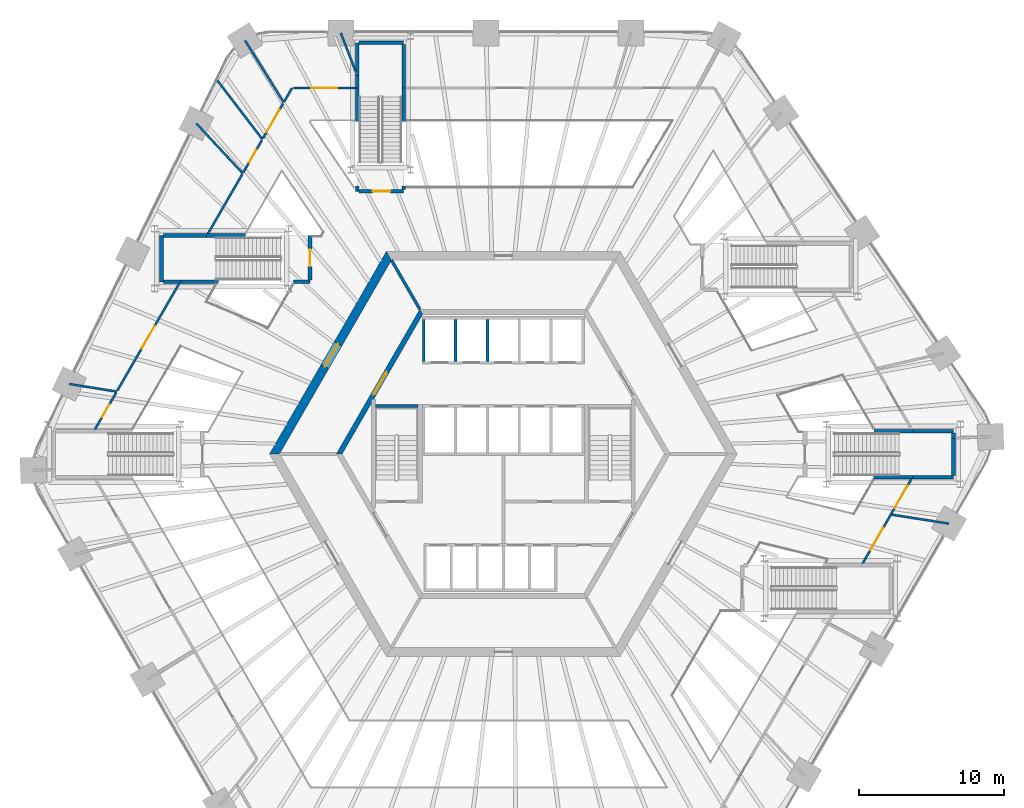
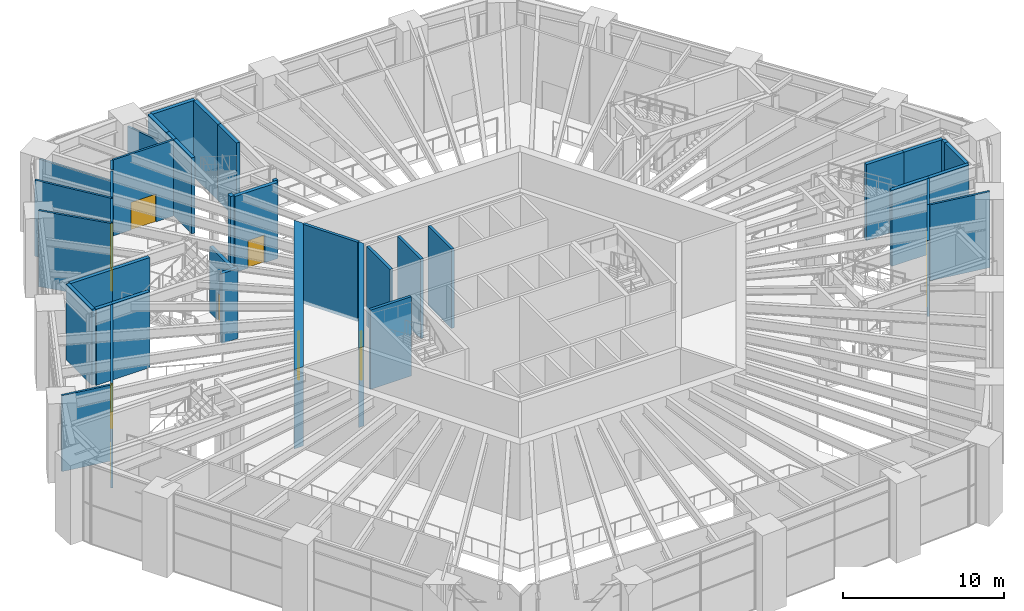
# One storey, part 23 of 32: 44 walls, 11 doors, 11 openings.
"""IFC4 building model written with IfcOpenShell, lengths in metres."""

from ifc_helpers import new_model, si_unit, direction, frame, frame_2d, origin, place, context, subcontext, project, spatial, polyline, rectangle, outline, extrude, material, layer, layer_set, type_object, element, fill, save


model = new_model("IFC4")

# Units and contexts
model_context = context("Model", 3, precision=1e-05, world=origin(), true_north=direction((0.0, 1.0)))
body_context = subcontext(model_context, "Body", "Model", "MODEL_VIEW")
ifc_project = project(units=[si_unit("LENGTHUNIT", "METRE"), si_unit("AREAUNIT", "SQUARE_METRE"), si_unit("VOLUMEUNIT", "CUBIC_METRE"), si_unit("PLANEANGLEUNIT", "RADIAN"), si_unit("MASSUNIT", "GRAM", prefix="KILO")], contexts=[model_context])

# Site, building, storey
site_placement = place(None, origin())
site = spatial("IfcSite", under=ifc_project, at=site_placement, CompositionType="ELEMENT")
building_placement = place(site_placement, origin())
building = spatial("IfcBuilding", under=site, at=building_placement, Name="Tarnside Tower", CompositionType="ELEMENT")
storey_placement = place(building_placement, frame((0.0, 0.0, 9.0)))
storey = spatial("IfcBuildingStorey", under=building, at=storey_placement, Name="L01", CompositionType="ELEMENT", Elevation=9.0)

# Wall, opening, door
ifc_material_1 = material(Name="Concrete C50/60", Category="concrete")
ifc_layer_1 = layer(ifc_material_1, 0.35009765625)
ifc_layer_set_1 = layer_set([ifc_layer_1], Name="Core block wall 350 C50/60")
wall_type_1 = type_object("IfcWallType", Name="Core block wall 350 C50/60", PredefinedType="SHEAR", material=ifc_layer_set_1)
wall_1_placement = place(storey_placement, frame((-5.672607421875, 9.824951171875, -0.25), z_axis=(0.0, 0.0, 1.0), x_axis=(-0.499995046907, -0.866028263435, 0.0)))
wall_1 = element("IfcWall", 1, at=wall_1_placement, inside=storey, type_object=wall_type_1, Name="L01 core block wall face 2", PredefinedType="SHEAR", context=body_context, shape_type="SweptSolid", body=[
    extrude(outline(polyline([(-0.10107421875, -0.175048828125), (11.44580078125, -0.175048828125), (11.24365234375, 0.175048828125), (0.10107421875, 0.175048828125), (-0.10107421875, -0.175048828125)])), origin(), (0.0, 0.0, 1.0), 6.0),
])
opening_1_placement = place(wall_1_placement, frame((4.80126953125, 0.0, 0.25)))
opening_1 = element("IfcOpeningElement", 2, at=opening_1_placement, cuts=wall_1, Name="Opening CD-LOB", PredefinedType="OPENING", context=body_context, shape_type="SweptSolid", body=[
    extrude(rectangle(XDim=1.800048828125, YDim=2.39990234375, at=frame_2d((0.89990234375, 1.199951171875))), frame((0.0, 0.18505859375, 0.0), z_axis=(0.0, -1.0, 0.0), x_axis=(1.0, 0.0, 0.0)), (0.0, 0.0, 1.0), 0.3701171875),
])
ifc_material_2 = material(Name="Steel fire door", Category="steel")
door_type_1 = type_object("IfcDoorType", Name="Lobby double door FD30S 1800x2400", OperationType="NOTDEFINED", PredefinedType="DOOR", material=ifc_material_2)
door_1_placement = place(opening_1_placement, origin())
door_1 = element("IfcDoor", 3, at=door_1_placement, inside=storey, type_object=door_type_1, Name="L01 lobby block door P1", OperationType="DOUBLE_DOOR_SINGLE_SWING", OverallHeight=2.39990234375, OverallWidth=1.800048828125, PredefinedType="DOOR", context=body_context, shape_type="SweptSolid", body=[
    extrude(rectangle(XDim=1.800048828125, YDim=2.39990234375, at=frame_2d((0.89990234375, 1.199951171875))), frame((0.0, 0.02490234375, 0.0), z_axis=(0.0, -1.0, 0.0), x_axis=(1.0, 0.0, 0.0)), (0.0, 0.0, 1.0), 0.050048828125),
])
fill(opening_1, door_1)

ifc_material_3 = material(Name="Concrete C80/95", Category="concrete")
ifc_layer_2 = layer(ifc_material_3, 0.60009765625)
ifc_layer_set_2 = layer_set([ifc_layer_2], Name="Core wall Z1 600 C80/95")
wall_type_2 = type_object("IfcWallType", Name="Core wall Z1 600 C80/95", PredefinedType="SHEAR", material=ifc_layer_set_2)
wall_2_placement = place(storey_placement, frame((-7.90966796875, 13.699951171875, -0.25), z_axis=(0.0, 0.0, 1.0), x_axis=(-0.499999880136, -0.866025472988, 0.0)))
wall_2 = element("IfcWall", 4, at=wall_2_placement, inside=storey, type_object=wall_type_2, Name="L01 core wall face 2", PredefinedType="SHEAR", context=body_context, shape_type="SweptSolid", body=[
    extrude(outline(polyline([(-0.17333984375, -0.300048828125), (15.99267578125, -0.300048828125), (15.64599609375, 0.300048828125), (0.17333984375, 0.300048828125), (-0.17333984375, -0.300048828125)])), origin(), (0.0, 0.0, 1.0), 6.0),
])
opening_2_placement = place(wall_2_placement, frame((7.03857421875, 0.0, 0.25)))
opening_2 = element("IfcOpeningElement", 5, at=opening_2_placement, cuts=wall_2, Name="Opening CD-LOB", PredefinedType="OPENING", context=body_context, shape_type="SweptSolid", body=[
    extrude(rectangle(XDim=1.800048828125, YDim=2.39990234375, at=frame_2d((0.89990234375, 1.199951171875))), frame((0.0, 0.31005859375, 0.0), z_axis=(0.0, -1.0, 0.0), x_axis=(1.0, 0.0, 0.0)), (0.0, 0.0, 1.0), 0.6201171875),
])
door_2_placement = place(opening_2_placement, origin())
door_2 = element("IfcDoor", 6, at=door_2_placement, inside=storey, type_object=door_type_1, Name="L01 core door P1", OperationType="DOUBLE_DOOR_SINGLE_SWING", OverallHeight=2.39990234375, OverallWidth=1.800048828125, PredefinedType="DOOR", context=body_context, shape_type="SweptSolid", body=[
    extrude(rectangle(XDim=1.800048828125, YDim=2.39990234375, at=frame_2d((0.89990234375, 1.199951171875))), frame((0.0, 0.02490234375, 0.0), z_axis=(0.0, -1.0, 0.0), x_axis=(1.0, 0.0, 0.0)), (0.0, 0.0, 1.0), 0.050048828125),
])
fill(opening_2, door_2)

# Walls
ifc_material_4 = material(Name="Concrete C40/50", Category="concrete")
ifc_layer_3 = layer(ifc_material_4, 0.199951171875)
ifc_layer_set_3 = layer_set([ifc_layer_3], Name="Lift shaft wall 200 C40/50")
wall_type_3 = type_object("IfcWallType", Name="Lift shaft wall 200 C40/50", PredefinedType="SHEAR", material=ifc_layer_set_3)
for number, where, z_axis, x_axis, name in (
    (7, (-5.5, 6.39990234375, -0.25), (0.0, 0.0, 1.0), (0.0, 1.0, 0.0), "L01 lift shaft partition R11"),
    (8, (-3.300048828125, 6.39990234375, -0.25), (0.0, 0.0, 1.0), (0.0, 1.0, 0.0), "L01 lift shaft partition R12"),
    (9, (-1.10009765625, 6.39990234375, -0.25), (0.0, 0.0, 1.0), (0.0, 1.0, 0.0), "L01 lift shaft partition R13"),
):
    element("IfcWall", number, at=place(storey_placement, frame(where, z_axis=z_axis, x_axis=x_axis)), inside=storey, type_object=wall_type_3, Name=name, PredefinedType="SHEAR", context=body_context, shape_type="SweptSolid", body=[
        extrude(rectangle(XDim=2.900146484375, YDim=0.199951171875, at=frame_2d((1.4501953125, 0.0))), origin(), (0.0, 0.0, 1.0), 6.0),
    ])
wall_3_placement = place(storey_placement, frame((-5.7734375, 10.0, -0.25), z_axis=(0.0, 0.0, 1.0), x_axis=(-0.500038251005, 0.86600331843, 0.0)))
element("IfcWall", 10, at=wall_3_placement, inside=storey, type_object=wall_type_3, Name="L01 core partition AR120", PredefinedType="SHEAR", context=body_context, shape_type="SweptSolid", body=[
    extrude(rectangle(XDim=3.926025390625, YDim=0.199951171875, at=frame_2d((1.962890625, 0.0))), origin(), (0.0, 0.0, 1.0), 6.0),
])
wall_4_placement = place(storey_placement, frame((-8.85009765625, 3.300048828125, -0.25), z_axis=(0.0, 0.0, 1.0), x_axis=(1.0, 0.0, 0.0)))
element("IfcWall", 11, at=wall_4_placement, inside=storey, type_object=wall_type_3, Name="L01 stair 2 enclosure cap wall n", PredefinedType="SHEAR", context=body_context, shape_type="SweptSolid", body=[
    extrude(rectangle(XDim=2.9501953125, YDim=0.199951171875, at=frame_2d((1.47509765625, 0.0))), origin(), (0.0, 0.0, 1.0), 6.0),
])
ifc_material_5 = material(Name="Gypsum board")
ifc_layer_4 = layer(ifc_material_5, 0.14990234375)
ifc_layer_set_4 = layer_set([ifc_layer_4], Name="Partition 150 gypsum board on metal stud")
wall_type_4 = type_object("IfcWallType", Name="Partition 150 gypsum board on metal stud", PredefinedType="PARTITIONING", material=ifc_layer_set_4)
wall_5_placement = place(storey_placement, frame((-30.01806640625, 4.8359375, 0.0), z_axis=(0.0, 0.0, 1.0), x_axis=(0.987270453079, -0.159050471478, 0.0)))
element("IfcWall", 12, at=wall_5_placement, inside=storey, type_object=wall_type_4, Name="Partition 004", PredefinedType="PARTITIONING", context=body_context, shape_type="SweptSolid", body=[
    extrude(rectangle(XDim=3.33251953125, YDim=0.14990234375, at=frame_2d((1.666259765625, 0.0))), origin(), (0.0, 0.0, 1.0), 5.75),
])

# Wall, opening, door
wall_6_placement = place(storey_placement, frame((-28.23291015625, 1.699951171875, 0.0), z_axis=(0.0, 0.0, 1.0), x_axis=(0.500083180475, 0.865977374189, 0.0)))
wall_6 = element("IfcWall", 13, at=wall_6_placement, inside=storey, type_object=wall_type_4, Name="Partition 009", PredefinedType="PARTITIONING", context=body_context, shape_type="SweptSolid", body=[
    extrude(rectangle(XDim=2.92919921875, YDim=0.14990234375, at=frame_2d((1.464599609375, 0.0))), origin(), (0.0, 0.0, 1.0), 5.75),
])
opening_3_placement = place(wall_6_placement, frame((0.964599609375, 0.0, 0.0)))
opening_3 = element("IfcOpeningElement", 14, at=opening_3_placement, cuts=wall_6, Name="Opening D1000", PredefinedType="OPENING", context=body_context, shape_type="SweptSolid", body=[
    extrude(rectangle(XDim=1.0, YDim=2.10009765625, at=frame_2d((0.5, 1.050048828125))), frame((0.0, 0.0849609375, 0.0), z_axis=(0.0, -1.0, 0.0), x_axis=(1.0, 0.0, 0.0)), (0.0, 0.0, 1.0), 0.169921875),
])
ifc_material_6 = material(Name="Timber door leaf", Category="wood")
door_type_2 = type_object("IfcDoorType", Name="Door 1000 x 2100 single leaf", OperationType="NOTDEFINED", PredefinedType="DOOR", material=ifc_material_6)
door_3_placement = place(opening_3_placement, origin())
door_3 = element("IfcDoor", 15, at=door_3_placement, inside=storey, type_object=door_type_2, Name="Door L01-02", OperationType="SINGLE_SWING_LEFT", OverallHeight=2.10009765625, OverallWidth=1.0, PredefinedType="DOOR", context=body_context, shape_type="SweptSolid", body=[
    extrude(rectangle(XDim=1.0, YDim=2.10009765625, at=frame_2d((0.5, 1.050048828125))), frame((0.0, 0.02490234375, 0.0), z_axis=(0.0, -1.0, 0.0), x_axis=(1.0, 0.0, 0.0)), (0.0, 0.0, 1.0), 0.050048828125),
])
fill(opening_3, door_3)

wall_7_placement = place(storey_placement, frame((-26.68798828125, 4.37548828125, 0.0), z_axis=(0.0, 0.0, 1.0), x_axis=(0.500057174496, 0.865992391557, 0.0)))
wall_7 = element("IfcWall", 16, at=wall_7_placement, inside=storey, type_object=wall_type_4, Name="Partition 015", PredefinedType="PARTITIONING", context=body_context, shape_type="SweptSolid", body=[
    extrude(rectangle(XDim=8.54443359375, YDim=0.14990234375, at=frame_2d((4.272216796875, 0.0))), origin(), (0.0, 0.0, 1.0), 5.75),
])
opening_4_placement = place(wall_7_placement, frame((3.372314453125, 0.0, 0.0)))
opening_4 = element("IfcOpeningElement", 17, at=opening_4_placement, cuts=wall_7, Name="Opening D1800F30", PredefinedType="OPENING", context=body_context, shape_type="SweptSolid", body=[
    extrude(rectangle(XDim=1.800048828125, YDim=2.10009765625, at=frame_2d((0.89990234375, 1.050048828125))), frame((0.0, 0.0849609375, 0.0), z_axis=(0.0, -1.0, 0.0), x_axis=(1.0, 0.0, 0.0)), (0.0, 0.0, 1.0), 0.169921875),
])
door_type_3 = type_object("IfcDoorType", Name="Door pair 1800 x 2100 FD30S fire door", OperationType="NOTDEFINED", PredefinedType="DOOR", material=ifc_material_6)
door_4_placement = place(opening_4_placement, origin())
door_4 = element("IfcDoor", 18, at=door_4_placement, inside=storey, type_object=door_type_3, Name="Door L01-04", OperationType="DOUBLE_DOOR_SINGLE_SWING", OverallHeight=2.10009765625, OverallWidth=1.800048828125, PredefinedType="DOOR", context=body_context, shape_type="SweptSolid", body=[
    extrude(rectangle(XDim=1.800048828125, YDim=2.10009765625, at=frame_2d((0.89990234375, 1.050048828125))), frame((0.0, 0.02490234375, 0.0), z_axis=(0.0, -1.0, 0.0), x_axis=(1.0, 0.0, 0.0)), (0.0, 0.0, 1.0), 0.050048828125),
])
fill(opening_4, door_4)

# Walls
wall_8_placement = place(storey_placement, frame((-21.22998046875, 22.85400390625, 0.0), z_axis=(0.0, 0.0, 1.0), x_axis=(0.680673196445, -0.732587195931, 0.0)))
element("IfcWall", 19, at=wall_8_placement, inside=storey, type_object=wall_type_4, Name="Partition 018", PredefinedType="PARTITIONING", context=body_context, shape_type="SweptSolid", body=[
    extrude(rectangle(XDim=4.7216796875, YDim=0.14990234375, at=frame_2d((2.36083984375, 0.0))), origin(), (0.0, 0.0, 1.0), 5.75),
])
wall_9_placement = place(storey_placement, frame((-19.779052734375, 25.827880859375, 0.0), z_axis=(0.0, 0.0, 1.0), x_axis=(0.608023337324, -0.793919152855, 0.0)))
element("IfcWall", 20, at=wall_9_placement, inside=storey, type_object=wall_type_4, Name="Partition 021", PredefinedType="PARTITIONING", context=body_context, shape_type="SweptSolid", body=[
    extrude(rectangle(XDim=5.136474609375, YDim=0.14990234375, at=frame_2d((2.568359375, 0.0))), origin(), (0.0, 0.0, 1.0), 5.75),
])
wall_10_placement = place(storey_placement, frame((-18.05517578125, 19.3271484375, 0.0), z_axis=(0.0, 0.0, 1.0), x_axis=(-0.500052601127, -0.865995032379, 0.0)))
element("IfcWall", 21, at=wall_10_placement, inside=storey, type_object=wall_type_4, Name="Partition 025", PredefinedType="PARTITIONING", context=body_context, shape_type="SweptSolid", body=[
    extrude(rectangle(XDim=4.73681640625, YDim=0.14990234375, at=frame_2d((2.368408203125, 0.0))), origin(), (0.0, 0.0, 1.0), 5.75),
])
wall_11_placement = place(storey_placement, frame((-17.861083984375, 28.583984375, 0.0), z_axis=(0.0, 0.0, 1.0), x_axis=(0.529933774968, -0.84803902867, 0.0)))
element("IfcWall", 22, at=wall_11_placement, inside=storey, type_object=wall_type_4, Name="Partition 026", PredefinedType="PARTITIONING", context=body_context, shape_type="SweptSolid", body=[
    extrude(rectangle(XDim=5.051513671875, YDim=0.14990234375, at=frame_2d((2.52587890625, 0.0))), origin(), (0.0, 0.0, 1.0), 4.98779296875),
])

# Wall, opening, door
wall_12_placement = place(storey_placement, frame((-17.976806640625, 19.462890625, 0.0), z_axis=(0.0, 0.0, 1.0), x_axis=(0.500118698802, 0.865956862152, 0.0)))
wall_12 = element("IfcWall", 23, at=wall_12_placement, inside=storey, type_object=wall_type_4, Name="Partition 028", PredefinedType="PARTITIONING", context=body_context, shape_type="SweptSolid", body=[
    extrude(rectangle(XDim=2.56005859375, YDim=0.14990234375, at=frame_2d((1.280029296875, 0.0))), origin(), (0.0, 0.0, 1.0), 5.75),
])
opening_5_placement = place(wall_12_placement, frame((0.780029296875, 0.0, 0.0)))
opening_5 = element("IfcOpeningElement", 24, at=opening_5_placement, cuts=wall_12, Name="Opening D1000", PredefinedType="OPENING", context=body_context, shape_type="SweptSolid", body=[
    extrude(rectangle(XDim=1.0, YDim=2.10009765625, at=frame_2d((0.5, 1.050048828125))), frame((0.0, 0.0849609375, 0.0), z_axis=(0.0, -1.0, 0.0), x_axis=(1.0, 0.0, 0.0)), (0.0, 0.0, 1.0), 0.169921875),
])
door_5_placement = place(opening_5_placement, origin())
door_5 = element("IfcDoor", 25, at=door_5_placement, inside=storey, type_object=door_type_2, Name="Door L01-08", OperationType="SINGLE_SWING_LEFT", OverallHeight=2.10009765625, OverallWidth=1.0, PredefinedType="DOOR", context=body_context, shape_type="SweptSolid", body=[
    extrude(rectangle(XDim=1.0, YDim=2.10009765625, at=frame_2d((0.5, 1.050048828125))), frame((0.0, 0.02490234375, 0.0), z_axis=(0.0, -1.0, 0.0), x_axis=(1.0, 0.0, 0.0)), (0.0, 0.0, 1.0), 0.050048828125),
])
fill(opening_5, door_5)

wall_13_placement = place(storey_placement, frame((-16.615478515625, 21.8203125, 0.0), z_axis=(0.0, 0.0, 1.0), x_axis=(0.499948134459, 0.866055346298, 0.0)))
wall_13 = element("IfcWall", 26, at=wall_13_placement, inside=storey, type_object=wall_type_4, Name="Partition 031", PredefinedType="PARTITIONING", context=body_context, shape_type="SweptSolid", body=[
    extrude(rectangle(XDim=2.778076171875, YDim=0.14990234375, at=frame_2d((1.38916015625, 0.0))), origin(), (0.0, 0.0, 1.0), 5.75),
])
opening_6_placement = place(wall_13_placement, frame((0.489013671875, 0.0, 0.0)))
opening_6 = element("IfcOpeningElement", 27, at=opening_6_placement, cuts=wall_13, Name="Opening D1800F30", PredefinedType="OPENING", context=body_context, shape_type="SweptSolid", body=[
    extrude(rectangle(XDim=1.800048828125, YDim=2.10009765625, at=frame_2d((0.89990234375, 1.050048828125))), frame((0.0, 0.0849609375, 0.0), z_axis=(0.0, -1.0, 0.0), x_axis=(1.0, 0.0, 0.0)), (0.0, 0.0, 1.0), 0.169921875),
])
door_6_placement = place(opening_6_placement, origin())
door_6 = element("IfcDoor", 28, at=door_6_placement, inside=storey, type_object=door_type_3, Name="Door L01-09", OperationType="DOUBLE_DOOR_SINGLE_SWING", OverallHeight=2.10009765625, OverallWidth=1.800048828125, PredefinedType="DOOR", context=body_context, shape_type="SweptSolid", body=[
    extrude(rectangle(XDim=1.800048828125, YDim=2.10009765625, at=frame_2d((0.89990234375, 1.050048828125))), frame((0.0, 0.02490234375, 0.0), z_axis=(0.0, -1.0, 0.0), x_axis=(1.0, 0.0, 0.0)), (0.0, 0.0, 1.0), 0.050048828125),
])
fill(opening_6, door_6)

# Walls
wall_14_placement = place(storey_placement, frame((-14.60693359375, 25.300048828125, 0.0), z_axis=(0.0, 0.0, 1.0), x_axis=(-0.499821239653, -0.866128586522, 0.0)))
element("IfcWall", 29, at=wall_14_placement, inside=storey, type_object=wall_type_4, Name="Partition 032", PredefinedType="PARTITIONING", context=body_context, shape_type="SweptSolid", body=[
    extrude(rectangle(XDim=1.06982421875, YDim=0.14990234375, at=frame_2d((0.534912109375, 0.0))), origin(), (0.0, 0.0, 1.0), 5.75),
])
wall_15_placement = place(storey_placement, frame((-11.235107421875, 29.10009765625, 0.0), z_axis=(0.0, 0.0, 1.0), x_axis=(0.360012438309, -0.932947503487, 0.0)))
element("IfcWall", 30, at=wall_15_placement, inside=storey, type_object=wall_type_4, Name="Partition 036", PredefinedType="PARTITIONING", context=body_context, shape_type="SweptSolid", body=[
    extrude(rectangle(XDim=2.833251953125, YDim=0.14990234375, at=frame_2d((1.41650390625, 0.0))), origin(), (0.0, 0.0, 1.0), 4.823486328125),
])

# Wall, opening, door
wall_16_placement = place(storey_placement, frame((-14.5205078125, 25.300048828125, 0.0), z_axis=(0.0, 0.0, 1.0), x_axis=(1.0, 0.0, 0.0)))
wall_16 = element("IfcWall", 31, at=wall_16_placement, inside=storey, type_object=wall_type_4, Name="Partition 040", PredefinedType="PARTITIONING", context=body_context, shape_type="SweptSolid", body=[
    extrude(rectangle(XDim=4.305419921875, YDim=0.14990234375, at=frame_2d((2.15283203125, 0.0))), origin(), (0.0, 0.0, 1.0), 5.75),
])
opening_7_placement = place(wall_16_placement, frame((1.252685546875, 0.0, 0.0)))
opening_7 = element("IfcOpeningElement", 32, at=opening_7_placement, cuts=wall_16, Name="Opening D1800F30", PredefinedType="OPENING", context=body_context, shape_type="SweptSolid", body=[
    extrude(rectangle(XDim=1.800048828125, YDim=2.10009765625, at=frame_2d((0.89990234375, 1.050048828125))), frame((0.0, 0.0849609375, 0.0), z_axis=(0.0, -1.0, 0.0), x_axis=(1.0, 0.0, 0.0)), (0.0, 0.0, 1.0), 0.169921875),
])
door_7_placement = place(opening_7_placement, origin())
door_7 = element("IfcDoor", 33, at=door_7_placement, inside=storey, type_object=door_type_3, Name="Door L01-12", OperationType="DOUBLE_DOOR_SINGLE_SWING", OverallHeight=2.10009765625, OverallWidth=1.800048828125, PredefinedType="DOOR", context=body_context, shape_type="SweptSolid", body=[
    extrude(rectangle(XDim=1.800048828125, YDim=2.10009765625, at=frame_2d((0.89990234375, 1.050048828125))), frame((0.0, 0.02490234375, 0.0), z_axis=(0.0, -1.0, 0.0), x_axis=(1.0, 0.0, 0.0)), (0.0, 0.0, 1.0), 0.050048828125),
])
fill(opening_7, door_7)

wall_17_placement = place(storey_placement, frame((26.7939453125, -4.19091796875, 0.0), z_axis=(0.0, 0.0, 1.0), x_axis=(-0.500016303021, -0.866015991026, 0.0)))
wall_17 = element("IfcWall", 34, at=wall_17_placement, inside=storey, type_object=wall_type_4, Name="Partition 079", PredefinedType="PARTITIONING", context=body_context, shape_type="SweptSolid", body=[
    extrude(rectangle(XDim=3.907470703125, YDim=0.14990234375, at=frame_2d((1.95361328125, 0.0))), origin(), (0.0, 0.0, 1.0), 5.75),
])
opening_8_placement = place(wall_17_placement, frame((1.0537109375, 0.0, 0.0)))
opening_8 = element("IfcOpeningElement", 35, at=opening_8_placement, cuts=wall_17, Name="Opening D1800F30", PredefinedType="OPENING", context=body_context, shape_type="SweptSolid", body=[
    extrude(rectangle(XDim=1.800048828125, YDim=2.10009765625, at=frame_2d((0.89990234375, 1.050048828125))), frame((0.0, 0.0849609375, 0.0), z_axis=(0.0, -1.0, 0.0), x_axis=(1.0, 0.0, 0.0)), (0.0, 0.0, 1.0), 0.169921875),
])
door_8_placement = place(opening_8_placement, origin())
door_8 = element("IfcDoor", 36, at=door_8_placement, inside=storey, type_object=door_type_3, Name="Door L01-25", OperationType="DOUBLE_DOOR_SINGLE_SWING", OverallHeight=2.10009765625, OverallWidth=1.800048828125, PredefinedType="DOOR", context=body_context, shape_type="SweptSolid", body=[
    extrude(rectangle(XDim=1.800048828125, YDim=2.10009765625, at=frame_2d((0.89990234375, 1.050048828125))), frame((0.0, 0.02490234375, 0.0), z_axis=(0.0, -1.0, 0.0), x_axis=(1.0, 0.0, 0.0)), (0.0, 0.0, 1.0), 0.050048828125),
])
fill(opening_8, door_8)

wall_18_placement = place(storey_placement, frame((28.203857421875, -1.75, 0.0), z_axis=(0.0, 0.0, 1.0), x_axis=(-0.50017225779, -0.865925927858, 0.0)))
wall_18 = element("IfcWall", 37, at=wall_18_placement, inside=storey, type_object=wall_type_4, Name="Partition 085", PredefinedType="PARTITIONING", context=body_context, shape_type="SweptSolid", body=[
    extrude(rectangle(XDim=2.81884765625, YDim=0.14990234375, at=frame_2d((1.409423828125, 0.0))), origin(), (0.0, 0.0, 1.0), 5.75),
])
opening_9_placement = place(wall_18_placement, frame((0.509521484375, 0.0, 0.0)))
opening_9 = element("IfcOpeningElement", 38, at=opening_9_placement, cuts=wall_18, Name="Opening D1800F30", PredefinedType="OPENING", context=body_context, shape_type="SweptSolid", body=[
    extrude(rectangle(XDim=1.800048828125, YDim=2.10009765625, at=frame_2d((0.89990234375, 1.050048828125))), frame((0.0, 0.0849609375, 0.0), z_axis=(0.0, -1.0, 0.0), x_axis=(1.0, 0.0, 0.0)), (0.0, 0.0, 1.0), 0.169921875),
])
door_9_placement = place(opening_9_placement, origin())
door_9 = element("IfcDoor", 39, at=door_9_placement, inside=storey, type_object=door_type_3, Name="Door L01-26", OperationType="DOUBLE_DOOR_SINGLE_SWING", OverallHeight=2.10009765625, OverallWidth=1.800048828125, PredefinedType="DOOR", context=body_context, shape_type="SweptSolid", body=[
    extrude(rectangle(XDim=1.800048828125, YDim=2.10009765625, at=frame_2d((0.89990234375, 1.050048828125))), frame((0.0, 0.02490234375, 0.0), z_axis=(0.0, -1.0, 0.0), x_axis=(1.0, 0.0, 0.0)), (0.0, 0.0, 1.0), 0.050048828125),
])
fill(opening_9, door_9)

# Walls
wall_19_placement = place(storey_placement, frame((30.819091796875, -4.820068359375, 0.0), z_axis=(0.0, 0.0, 1.0), x_axis=(-0.988004164749, 0.154427233473, 0.0)))
element("IfcWall", 40, at=wall_19_placement, inside=storey, type_object=wall_type_4, Name="Partition 090", PredefinedType="PARTITIONING", context=body_context, shape_type="SweptSolid", body=[
    extrude(rectangle(XDim=3.993408203125, YDim=0.14990234375, at=frame_2d((1.99658203125, 0.0))), origin(), (0.0, 0.0, 1.0), 5.75),
])
ifc_material_7 = material(Name="Concrete C32/40", Category="concrete")
ifc_layer_5 = layer(ifc_material_7, 0.25)
ifc_layer_set_5 = layer_set([ifc_layer_5], Name="Wall 250 reinforced Concrete C32/40")
wall_type_5 = type_object("IfcWallType", Name="Wall 250 reinforced Concrete C32/40", PredefinedType="PARTITIONING", material=ifc_layer_set_5)
wall_20_placement = place(storey_placement, frame((-23.635009765625, 11.89990234375, 0.0), z_axis=(0.0, 0.0, 1.0), x_axis=(0.0, 1.0, 0.0)))
element("IfcWall", 41, at=wall_20_placement, inside=storey, type_object=wall_type_5, Name="Partition 013", PredefinedType="PARTITIONING", context=body_context, shape_type="SweptSolid", body=[
    extrude(rectangle(XDim=3.2001953125, YDim=0.25, at=frame_2d((1.60009765625, 0.0))), origin(), (0.0, 0.0, 1.0), 5.75),
])
wall_21_placement = place(storey_placement, frame((-23.510009765625, 15.10009765625, 0.0), z_axis=(0.0, 0.0, 1.0), x_axis=(1.0, 0.0, 0.0)))
element("IfcWall", 42, at=wall_21_placement, inside=storey, type_object=wall_type_5, Name="Partition 014", PredefinedType="PARTITIONING", context=body_context, shape_type="SweptSolid", body=[
    extrude(rectangle(XDim=3.026123046875, YDim=0.25, at=frame_2d((1.51318359375, 0.0))), origin(), (0.0, 0.0, 1.0), 5.75),
])
wall_22_placement = place(storey_placement, frame((-22.3330078125, 11.89990234375, 0.0), z_axis=(0.0, 0.0, 1.0), x_axis=(-1.0, 0.0, 0.0)))
element("IfcWall", 43, at=wall_22_placement, inside=storey, type_object=wall_type_5, Name="Partition 016", PredefinedType="PARTITIONING", context=body_context, shape_type="SweptSolid", body=[
    extrude(rectangle(XDim=1.177001953125, YDim=0.25, at=frame_2d((0.58837890625, 0.0))), origin(), (0.0, 0.0, 1.0), 5.75),
])
wall_23_placement = place(storey_placement, frame((-20.506103515625, 15.10009765625, 0.0), z_axis=(0.0, 0.0, 1.0), x_axis=(1.0, 0.0, 0.0)))
element("IfcWall", 44, at=wall_23_placement, inside=storey, type_object=wall_type_5, Name="Partition 020", PredefinedType="PARTITIONING", context=body_context, shape_type="SweptSolid", body=[
    extrude(rectangle(XDim=2.67822265625, YDim=0.25, at=frame_2d((1.339111328125, 0.0))), origin(), (0.0, 0.0, 1.0), 5.75),
])
wall_24_placement = place(storey_placement, frame((-19.677978515625, 11.89990234375, 0.0), z_axis=(0.0, 0.0, 1.0), x_axis=(-1.0, 0.0, 0.0)))
element("IfcWall", 45, at=wall_24_placement, inside=storey, type_object=wall_type_5, Name="Partition 022", PredefinedType="PARTITIONING", context=body_context, shape_type="SweptSolid", body=[
    extrude(rectangle(XDim=2.677978515625, YDim=0.25, at=frame_2d((1.3388671875, 0.0))), origin(), (0.0, 0.0, 1.0), 5.75),
])
wall_25_placement = place(storey_placement, frame((-13.364990234375, 11.89990234375, 0.0), z_axis=(0.0, 0.0, 1.0), x_axis=(-1.0, 0.0, 0.0)))
element("IfcWall", 46, at=wall_25_placement, inside=storey, type_object=wall_type_5, Name="Partition 034", PredefinedType="PARTITIONING", context=body_context, shape_type="SweptSolid", body=[
    extrude(rectangle(XDim=1.137939453125, YDim=0.25, at=frame_2d((0.56884765625, 0.0))), origin(), (0.0, 0.0, 1.0), 5.296630859375),
])

# Wall, opening, door
wall_26_placement = place(storey_placement, frame((-13.364990234375, 15.10009765625, 0.0), z_axis=(0.0, 0.0, 1.0), x_axis=(0.0, -1.0, 0.0)))
wall_26 = element("IfcWall", 47, at=wall_26_placement, inside=storey, type_object=wall_type_5, Name="Partition 035", PredefinedType="PARTITIONING", context=body_context, shape_type="SweptSolid", body=[
    extrude(rectangle(XDim=3.0751953125, YDim=0.25, at=frame_2d((1.53759765625, 0.0))), origin(), (0.0, 0.0, 1.0), 4.98779296875),
])
opening_10_placement = place(wall_26_placement, frame((0.9375, 0.0, 0.0)))
opening_10 = element("IfcOpeningElement", 48, at=opening_10_placement, cuts=wall_26, Name="Opening D1200F60S", PredefinedType="OPENING", context=body_context, shape_type="SweptSolid", body=[
    extrude(rectangle(XDim=1.199951171875, YDim=2.10009765625, at=frame_2d((0.60009765625, 1.050048828125))), frame((0.0, 0.135009765625, 0.0), z_axis=(0.0, -1.0, 0.0), x_axis=(1.0, 0.0, 0.0)), (0.0, 0.0, 1.0), 0.27001953125),
])
door_type_4 = type_object("IfcDoorType", Name="Door 1200 x 2100 single leaf FD60S fire door", OperationType="NOTDEFINED", PredefinedType="DOOR", material=ifc_material_6)
door_10_placement = place(opening_10_placement, origin())
door_10 = element("IfcDoor", 49, at=door_10_placement, inside=storey, type_object=door_type_4, Name="Door L01-11", OperationType="SINGLE_SWING_RIGHT", OverallHeight=2.10009765625, OverallWidth=1.199951171875, PredefinedType="DOOR", context=body_context, shape_type="SweptSolid", body=[
    extrude(rectangle(XDim=1.199951171875, YDim=2.10009765625, at=frame_2d((0.60009765625, 1.050048828125))), frame((0.0, 0.02490234375, 0.0), z_axis=(0.0, -1.0, 0.0), x_axis=(1.0, 0.0, 0.0)), (0.0, 0.0, 1.0), 0.050048828125),
])
fill(opening_10, door_10)

# Walls
wall_27_placement = place(storey_placement, frame((-10.090087890625, 18.155029296875, 0.0), z_axis=(0.0, 0.0, 1.0), x_axis=(0.0, 1.0, 0.0)))
element("IfcWall", 50, at=wall_27_placement, inside=storey, type_object=wall_type_5, Name="Partition 037", PredefinedType="PARTITIONING", context=body_context, shape_type="SweptSolid", body=[
    extrude(rectangle(XDim=0.35498046875, YDim=0.25, at=frame_2d((0.177490234375, 0.0))), origin(), (0.0, 0.0, 1.0), 5.75),
])
wall_28_placement = place(storey_placement, frame((-10.090087890625, 22.989990234375, 0.0), z_axis=(0.0, 0.0, 1.0), x_axis=(0.0, 1.0, 0.0)))
element("IfcWall", 51, at=wall_28_placement, inside=storey, type_object=wall_type_5, Name="Partition 038", PredefinedType="PARTITIONING", context=body_context, shape_type="SweptSolid", body=[
    extrude(rectangle(XDim=2.320068359375, YDim=0.25, at=frame_2d((1.16015625, 0.0))), origin(), (0.0, 0.0, 1.0), 5.75),
])
wall_29_placement = place(storey_placement, frame((-10.090087890625, 25.2900390625, 0.0), z_axis=(0.0, 0.0, 1.0), x_axis=(0.0, 1.0, 0.0)))
element("IfcWall", 52, at=wall_29_placement, inside=storey, type_object=wall_type_5, Name="Partition 039", PredefinedType="PARTITIONING", context=body_context, shape_type="SweptSolid", body=[
    extrude(rectangle(XDim=0.869873046875, YDim=0.25, at=frame_2d((0.43505859375, 0.0))), origin(), (0.0, 0.0, 1.0), 5.75),
])
wall_30_placement = place(storey_placement, frame((-10.090087890625, 26.123046875, 0.0), z_axis=(0.0, 0.0, 1.0), x_axis=(0.0, 1.0, 0.0)))
element("IfcWall", 53, at=wall_30_placement, inside=storey, type_object=wall_type_5, Name="Partition 041", PredefinedType="PARTITIONING", context=body_context, shape_type="SweptSolid", body=[
    extrude(rectangle(XDim=2.302001953125, YDim=0.25, at=frame_2d((1.15087890625, 0.0))), origin(), (0.0, 0.0, 1.0), 5.75),
])
wall_31_placement = place(storey_placement, frame((-9.965087890625, 28.425048828125, 0.0), z_axis=(0.0, 0.0, 1.0), x_axis=(1.0, 0.0, 0.0)))
element("IfcWall", 54, at=wall_31_placement, inside=storey, type_object=wall_type_5, Name="Partition 042", PredefinedType="PARTITIONING", context=body_context, shape_type="SweptSolid", body=[
    extrude(rectangle(XDim=3.0751953125, YDim=0.25, at=frame_2d((1.53759765625, 0.0))), origin(), (0.0, 0.0, 1.0), 5.75),
])

# Wall, opening, door
wall_32_placement = place(storey_placement, frame((-6.889892578125, 18.155029296875, 0.0), z_axis=(0.0, 0.0, 1.0), x_axis=(-1.0, 0.0, 0.0)))
wall_32 = element("IfcWall", 55, at=wall_32_placement, inside=storey, type_object=wall_type_5, Name="Partition 043", PredefinedType="PARTITIONING", context=body_context, shape_type="SweptSolid", body=[
    extrude(rectangle(XDim=3.0751953125, YDim=0.25, at=frame_2d((1.53759765625, 0.0))), origin(), (0.0, 0.0, 1.0), 5.75),
])
opening_11_placement = place(wall_32_placement, frame((0.9375, 0.0, 0.0)))
opening_11 = element("IfcOpeningElement", 56, at=opening_11_placement, cuts=wall_32, Name="Opening D1200F60S", PredefinedType="OPENING", context=body_context, shape_type="SweptSolid", body=[
    extrude(rectangle(XDim=1.199951171875, YDim=2.10009765625, at=frame_2d((0.60009765625, 1.050048828125))), frame((0.0, 0.135009765625, 0.0), z_axis=(0.0, -1.0, 0.0), x_axis=(1.0, 0.0, 0.0)), (0.0, 0.0, 1.0), 0.27001953125),
])
door_11_placement = place(opening_11_placement, origin())
door_11 = element("IfcDoor", 57, at=door_11_placement, inside=storey, type_object=door_type_4, Name="Door L01-13", OperationType="SINGLE_SWING_RIGHT", OverallHeight=2.10009765625, OverallWidth=1.199951171875, PredefinedType="DOOR", context=body_context, shape_type="SweptSolid", body=[
    extrude(rectangle(XDim=1.199951171875, YDim=2.10009765625, at=frame_2d((0.60009765625, 1.050048828125))), frame((0.0, 0.02490234375, 0.0), z_axis=(0.0, -1.0, 0.0), x_axis=(1.0, 0.0, 0.0)), (0.0, 0.0, 1.0), 0.050048828125),
])
fill(opening_11, door_11)

# Walls
wall_33_placement = place(storey_placement, frame((-6.889892578125, 18.510009765625, 0.0), z_axis=(0.0, 0.0, 1.0), x_axis=(0.0, -1.0, 0.0)))
element("IfcWall", 58, at=wall_33_placement, inside=storey, type_object=wall_type_5, Name="Partition 044", PredefinedType="PARTITIONING", context=body_context, shape_type="SweptSolid", body=[
    extrude(rectangle(XDim=0.22998046875, YDim=0.25, at=frame_2d((0.114990234375, 0.0))), origin(), (0.0, 0.0, 1.0), 5.75),
])
wall_34_placement = place(storey_placement, frame((-6.889892578125, 25.31005859375, 0.0), z_axis=(0.0, 0.0, 1.0), x_axis=(0.0, -1.0, 0.0)))
element("IfcWall", 59, at=wall_34_placement, inside=storey, type_object=wall_type_5, Name="Partition 045", PredefinedType="PARTITIONING", context=body_context, shape_type="SweptSolid", body=[
    extrude(rectangle(XDim=2.320068359375, YDim=0.25, at=frame_2d((1.16015625, 0.0))), origin(), (0.0, 0.0, 1.0), 5.75),
])
wall_35_placement = place(storey_placement, frame((-6.889892578125, 28.300048828125, 0.0), z_axis=(0.0, 0.0, 1.0), x_axis=(0.0, -1.0, 0.0)))
element("IfcWall", 60, at=wall_35_placement, inside=storey, type_object=wall_type_5, Name="Partition 046", PredefinedType="PARTITIONING", context=body_context, shape_type="SweptSolid", body=[
    extrude(rectangle(XDim=3.010009765625, YDim=0.25, at=frame_2d((1.5048828125, 0.0))), origin(), (0.0, 0.0, 1.0), 5.75),
])
for number, where, z_axis, x_axis, name in (
    (61, (25.636962890625, 1.574951171875, 0.0), (0.0, 0.0, 1.0), (1.0, 0.0, 0.0), "Partition 080"),
    (62, (28.285888671875, -1.625, 0.0), (0.0, 0.0, 1.0), (-1.0, 0.0, 0.0), "Partition 086"),
):
    element("IfcWall", number, at=place(storey_placement, frame(where, z_axis=z_axis, x_axis=x_axis)), inside=storey, type_object=wall_type_5, Name=name, PredefinedType="PARTITIONING", context=body_context, shape_type="SweptSolid", body=[
        extrude(rectangle(XDim=2.677978515625, YDim=0.25, at=frame_2d((1.3388671875, 0.0))), origin(), (0.0, 0.0, 1.0), 5.75),
    ])
wall_36_placement = place(storey_placement, frame((28.29296875, 1.574951171875, 0.0), z_axis=(0.0, 0.0, 1.0), x_axis=(1.0, 0.0, 0.0)))
element("IfcWall", 63, at=wall_36_placement, inside=storey, type_object=wall_type_5, Name="Partition 087", PredefinedType="PARTITIONING", context=body_context, shape_type="SweptSolid", body=[
    extrude(rectangle(XDim=2.83203125, YDim=0.25, at=frame_2d((1.416015625, 0.0))), origin(), (0.0, 0.0, 1.0), 5.75),
])
wall_37_placement = place(storey_placement, frame((31.125, -1.625, 0.0), z_axis=(0.0, 0.0, 1.0), x_axis=(-1.0, 0.0, 0.0)))
element("IfcWall", 64, at=wall_37_placement, inside=storey, type_object=wall_type_5, Name="Partition 091", PredefinedType="PARTITIONING", context=body_context, shape_type="SweptSolid", body=[
    extrude(rectangle(XDim=2.861083984375, YDim=0.25, at=frame_2d((1.4306640625, 0.0))), origin(), (0.0, 0.0, 1.0), 5.75),
])
wall_38_placement = place(storey_placement, frame((31.125, 1.096923828125, 0.0), z_axis=(0.0, 0.0, 1.0), x_axis=(0.0, -1.0, 0.0)))
element("IfcWall", 65, at=wall_38_placement, inside=storey, type_object=wall_type_5, Name="Partition 092", PredefinedType="PARTITIONING", context=body_context, shape_type="SweptSolid", body=[
    extrude(rectangle(XDim=2.596923828125, YDim=0.25, at=frame_2d((1.29833984375, 0.0))), origin(), (0.0, 0.0, 1.0), 5.75),
])
wall_39_placement = place(storey_placement, frame((31.125, 1.449951171875, 0.0), z_axis=(0.0, 0.0, 1.0), x_axis=(0.0, -1.0, 0.0)))
element("IfcWall", 66, at=wall_39_placement, inside=storey, type_object=wall_type_5, Name="Partition 093", PredefinedType="PARTITIONING", context=body_context, shape_type="SweptSolid", body=[
    extrude(rectangle(XDim=0.373046875, YDim=0.25, at=frame_2d((0.1865234375, 0.0))), origin(), (0.0, 0.0, 1.0), 5.75),
])

save(model, "model.ifc")
